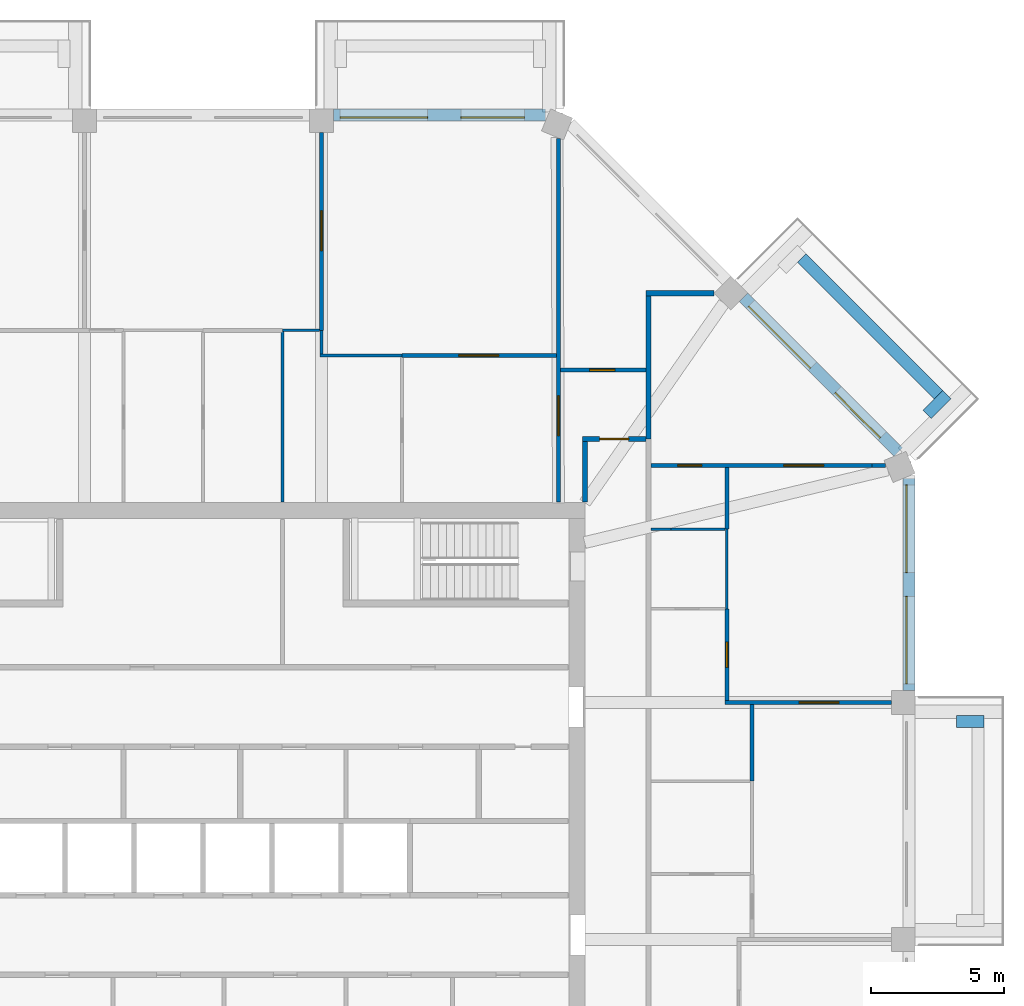
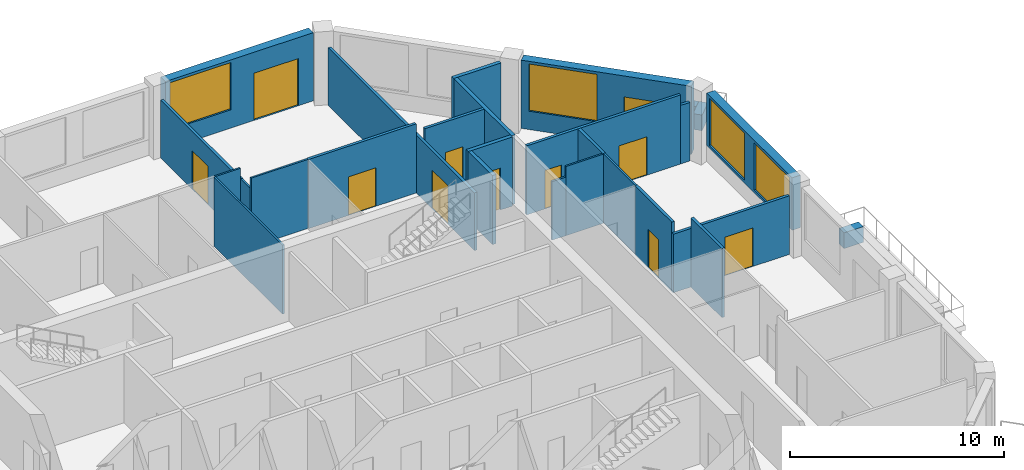
# One storey, part 9 of 12: 27 walls, 11 doors, 4 windows, 15 openings.
"""IFC4 building model written with IfcOpenShell, lengths in metres."""

from ifc_helpers import new_model, si_unit, direction, frame, frame_2d, origin, place, context, subcontext, project, spatial, rectangle, extrude, material, layer, layer_set, type_object, element, fill, save


model = new_model("IFC4")

# Units and contexts
model_context = context("Model", 3, precision=1e-05, world=origin(), true_north=direction((0.0, 1.0)))
body_context = subcontext(model_context, "Body", "Model", "MODEL_VIEW")
ifc_project = project(units=[si_unit("LENGTHUNIT", "METRE"), si_unit("AREAUNIT", "SQUARE_METRE"), si_unit("VOLUMEUNIT", "CUBIC_METRE"), si_unit("PLANEANGLEUNIT", "RADIAN"), si_unit("MASSUNIT", "GRAM", prefix="KILO")], contexts=[model_context])

# Site, building, storey
site_placement = place(None, origin())
site = spatial("IfcSite", under=ifc_project, at=site_placement, CompositionType="ELEMENT")
building_placement = place(site_placement, origin())
building = spatial("IfcBuilding", under=site, at=building_placement, Name="Msitu Wima Residences", CompositionType="ELEMENT")
storey_placement = place(building_placement, frame((0.0, 0.0, 218.10009765625)))
storey = spatial("IfcBuildingStorey", under=building, at=storey_placement, Name="L50", CompositionType="ELEMENT", Elevation=218.10009765625)

# Walls
ifc_material_1 = material(Name="Facing brick")
ifc_layer_1 = layer(ifc_material_1, 0.06494140625, Name="Facing brick")
ifc_material_2 = material(Name="Concrete C40/50", Category="concrete")
ifc_layer_2 = layer(ifc_material_2, 0.156005859375, Name="Concrete C40/50")
ifc_material_3 = material(Name="Waterproofing membrane")
ifc_layer_3 = layer(ifc_material_3, 0.00390625, Name="Waterproofing membrane")
ifc_material_4 = material(Name="Planting soil and planting")
ifc_layer_4 = layer(ifc_material_4, 0.22509765625, Name="Planting soil and planting")
ifc_layer_set_1 = layer_set([ifc_layer_1, ifc_layer_2, ifc_layer_3, ifc_layer_4], Name="Concrete C40/50")
wall_type_1 = type_object("IfcWallType", Name="Balcony planter PLANTER PL450", PredefinedType="USERDEFINED", material=ifc_layer_set_1)
wall_1_placement = place(storey_placement, frame((28.39990234375, 3.74365234375, 0.0), z_axis=(0.0, 0.0, 1.0), x_axis=(1.0, 0.0, 0.0)))
element("IfcWall", 1, at=wall_1_placement, inside=storey, type_object=wall_type_1, Name="Balcony planter E1 L50", ObjectType="PLANTER", PredefinedType="USERDEFINED", context=body_context, shape_type="SweptSolid", body=[
    extrude(rectangle(XDim=1.050048828125, YDim=0.449951171875, at=frame_2d((0.52490234375, 0.0))), origin(), (0.0, 0.0, 1.0), 0.89990234375),
])
wall_2_placement = place(storey_placement, frame((27.725830078125, 16.0751953125, 0.0), z_axis=(0.0, 0.0, 1.0), x_axis=(-0.707106781187, 0.707106781187, 0.0)))
element("IfcWall", 2, at=wall_2_placement, inside=storey, type_object=wall_type_1, Name="Balcony planter NE0 L50", ObjectType="PLANTER", PredefinedType="USERDEFINED", context=body_context, shape_type="SweptSolid", body=[
    extrude(rectangle(XDim=7.288330078125, YDim=0.449951171875, at=frame_2d((3.64404296875, 0.0))), origin(), (0.0, 0.0, 1.0), 0.89990234375),
])
wall_3_placement = place(storey_placement, frame((27.301513671875, 15.332763671875, 0.0), z_axis=(0.0, 0.0, 1.0), x_axis=(0.707106781187, 0.707106781187, 0.0)))
element("IfcWall", 3, at=wall_3_placement, inside=storey, type_object=wall_type_1, Name="Balcony planter NE0 L50", ObjectType="PLANTER", PredefinedType="USERDEFINED", context=body_context, shape_type="SweptSolid", body=[
    extrude(rectangle(XDim=1.050048828125, YDim=0.449951171875, at=frame_2d((0.52490234375, 0.0))), origin(), (0.0, 0.0, 1.0), 0.89990234375),
])

# Wall, openings, windows
ifc_material_5 = material(Name="Brick (red buff mix)", Category="masonry")
ifc_layer_5 = layer(ifc_material_5, 0.449951171875)
ifc_layer_set_2 = layer_set([ifc_layer_5], Name="Brick (red buff mix)")
wall_type_2 = type_object("IfcWallType", Name="Brick infill wall BW450", PredefinedType="SOLIDWALL", material=ifc_layer_set_2)
wall_4_placement = place(storey_placement, frame((26.625, 4.918701171875, 0.89990234375), z_axis=(0.0, 0.0, 1.0), x_axis=(0.0, 1.0, 0.0)))
wall_4 = element("IfcWall", 4, at=wall_4_placement, inside=storey, type_object=wall_type_2, Name="Brick infill wall L50 E2", PredefinedType="SOLIDWALL", context=body_context, shape_type="SweptSolid", body=[
    extrude(rectangle(XDim=8.0, YDim=0.449951171875, at=frame_2d((4.0, 0.0))), origin(), (0.0, 0.0, 1.0), 3.0),
])
opening_1_placement = place(wall_4_placement, frame((0.25, 0.0, 0.14990234375)))
opening_1 = element("IfcOpeningElement", 5, at=opening_1_placement, cuts=wall_4, Name="Opening W50-51.004", PredefinedType="OPENING", context=body_context, shape_type="SweptSolid", body=[
    extrude(rectangle(XDim=3.300048828125, YDim=2.699951171875, at=frame_2d((1.64990234375, 1.35009765625))), frame((0.0, 0.23486328125, 0.0), z_axis=(0.0, -1.0, 0.0), x_axis=(1.0, 0.0, 0.0)), (0.0, 0.0, 1.0), 0.469970703125),
])
opening_2_placement = place(wall_4_placement, frame((4.4501953125, 0.0, 0.14990234375)))
opening_2 = element("IfcOpeningElement", 6, at=opening_2_placement, cuts=wall_4, Name="Opening W50-51.005", PredefinedType="OPENING", context=body_context, shape_type="SweptSolid", body=[
    extrude(rectangle(XDim=3.300048828125, YDim=2.699951171875, at=frame_2d((1.64990234375, 1.35009765625))), frame((0.0, 0.23486328125, 0.0), z_axis=(0.0, -1.0, 0.0), x_axis=(1.0, 0.0, 0.0)), (0.0, 0.0, 1.0), 0.469970703125),
])
ifc_material_6 = material(Name="Anodised aluminium, bronze finish, clear low-emissivity double glazing", Category="aluminium")
window_type = type_object("IfcWindowType", Name="Window W3300x2700", PartitioningType="DOUBLE_PANEL_VERTICAL", PredefinedType="WINDOW", material=ifc_material_6)
window_1_placement = place(opening_1_placement, origin())
window_1 = element("IfcWindow", 7, at=window_1_placement, inside=storey, type_object=window_type, Name="Window L50 E2.1", OverallHeight=2.699951171875, OverallWidth=3.300048828125, PartitioningType="SINGLE_PANEL", PredefinedType="WINDOW", context=body_context, shape_type="SweptSolid", body=[
    extrude(rectangle(XDim=3.300048828125, YDim=2.699951171875, at=frame_2d((1.64990234375, 1.35009765625))), frame((0.0, 0.135009765625, 0.0), z_axis=(0.0, -1.0, 0.0), x_axis=(1.0, 0.0, 0.0)), (0.0, 0.0, 1.0), 0.06005859375),
])
fill(opening_1, window_1)
window_2_placement = place(opening_2_placement, origin())
window_2 = element("IfcWindow", 8, at=window_2_placement, inside=storey, type_object=window_type, Name="Window L50 E2.2", OverallHeight=2.699951171875, OverallWidth=3.300048828125, PartitioningType="SINGLE_PANEL", PredefinedType="WINDOW", context=body_context, shape_type="SweptSolid", body=[
    extrude(rectangle(XDim=3.300048828125, YDim=2.699951171875, at=frame_2d((1.64990234375, 1.35009765625))), frame((0.0, 0.135009765625, 0.0), z_axis=(0.0, -1.0, 0.0), x_axis=(1.0, 0.0, 0.0)), (0.0, 0.0, 1.0), 0.06005859375),
])
fill(opening_2, window_2)

# Wall, openings, door, window
wall_5_placement = place(storey_placement, frame((26.214599609375, 13.909423828125, 0.0), z_axis=(0.0, 0.0, 1.0), x_axis=(-0.707106781187, 0.707106781187, 0.0)))
wall_5 = element("IfcWall", 9, at=wall_5_placement, inside=storey, type_object=wall_type_2, Name="Brick infill wall L50 NE0", PredefinedType="SOLIDWALL", context=body_context, shape_type="SweptSolid", body=[
    extrude(rectangle(XDim=8.251220703125, YDim=0.449951171875, at=frame_2d((4.12548828125, 0.0))), origin(), (0.0, 0.0, 1.0), 3.89990234375),
])
opening_3_placement = place(wall_5_placement, frame((0.86279296875, 0.0, 0.0)))
opening_3 = element("IfcOpeningElement", 10, at=opening_3_placement, cuts=wall_5, Name="Opening D50-51.004", PredefinedType="OPENING", context=body_context, shape_type="SweptSolid", body=[
    extrude(rectangle(XDim=2.39990234375, YDim=2.699951171875, at=frame_2d((1.199951171875, 1.35009765625))), frame((0.0, 0.23486328125, 0.0), z_axis=(0.0, -1.0, 0.0), x_axis=(1.0, 0.0, 0.0)), (0.0, 0.0, 1.0), 0.469970703125),
])
opening_4_placement = place(wall_5_placement, frame((4.57568359375, 0.0, 1.050048828125)))
opening_4 = element("IfcOpeningElement", 11, at=opening_4_placement, cuts=wall_5, Name="Opening W50-51.010", PredefinedType="OPENING", context=body_context, shape_type="SweptSolid", body=[
    extrude(rectangle(XDim=3.300048828125, YDim=2.699951171875, at=frame_2d((1.64990234375, 1.35009765625))), frame((0.0, 0.23486328125, 0.0), z_axis=(0.0, -1.0, 0.0), x_axis=(1.0, 0.0, 0.0)), (0.0, 0.0, 1.0), 0.469970703125),
])
door_type_1 = type_object("IfcDoorType", Name="Balcony door D2400x2700", OperationType="SLIDING_TO_LEFT", PredefinedType="DOOR", material=ifc_material_6)
door_1_placement = place(opening_3_placement, origin())
door_1 = element("IfcDoor", 12, at=door_1_placement, inside=storey, type_object=door_type_1, Name="Balcony door L50 NE0", OperationType="SINGLE_SWING_LEFT", OverallHeight=2.699951171875, OverallWidth=2.39990234375, PredefinedType="DOOR", context=body_context, shape_type="SweptSolid", body=[
    extrude(rectangle(XDim=2.39990234375, YDim=2.699951171875, at=frame_2d((1.199951171875, 1.35009765625))), frame((0.0, 0.1298828125, 0.0), z_axis=(0.0, -1.0, 0.0), x_axis=(1.0, 0.0, 0.0)), (0.0, 0.0, 1.0), 0.050048828125),
])
fill(opening_3, door_1)
window_3_placement = place(opening_4_placement, origin())
window_3 = element("IfcWindow", 13, at=window_3_placement, inside=storey, type_object=window_type, Name="Window L50 NE0.2", OverallHeight=2.699951171875, OverallWidth=3.300048828125, PartitioningType="SINGLE_PANEL", PredefinedType="WINDOW", context=body_context, shape_type="SweptSolid", body=[
    extrude(rectangle(XDim=3.300048828125, YDim=2.699951171875, at=frame_2d((1.64990234375, 1.35009765625))), frame((0.0, 0.135009765625, 0.0), z_axis=(0.0, -1.0, 0.0), x_axis=(1.0, 0.0, 0.0)), (0.0, 0.0, 1.0), 0.06005859375),
])
fill(opening_4, window_3)

wall_6_placement = place(storey_placement, frame((12.918701171875, 26.625, 0.0), z_axis=(0.0, 0.0, 1.0), x_axis=(-1.0, 0.0, 0.0)))
wall_6 = element("IfcWall", 14, at=wall_6_placement, inside=storey, type_object=wall_type_2, Name="Brick infill wall L50 N0", PredefinedType="SOLIDWALL", context=body_context, shape_type="SweptSolid", body=[
    extrude(rectangle(XDim=8.0, YDim=0.449951171875, at=frame_2d((4.0, 0.0))), origin(), (0.0, 0.0, 1.0), 3.89990234375),
])
opening_5_placement = place(wall_6_placement, frame((0.800048828125, 0.0, 0.0)))
opening_5 = element("IfcOpeningElement", 15, at=opening_5_placement, cuts=wall_6, Name="Opening D50-51.002", PredefinedType="OPENING", context=body_context, shape_type="SweptSolid", body=[
    extrude(rectangle(XDim=2.39990234375, YDim=2.699951171875, at=frame_2d((1.199951171875, 1.35009765625))), frame((0.0, 0.23486328125, 0.0), z_axis=(0.0, -1.0, 0.0), x_axis=(1.0, 0.0, 0.0)), (0.0, 0.0, 1.0), 0.469970703125),
])
opening_6_placement = place(wall_6_placement, frame((4.4501953125, 0.0, 1.050048828125)))
opening_6 = element("IfcOpeningElement", 16, at=opening_6_placement, cuts=wall_6, Name="Opening W50-51.006", PredefinedType="OPENING", context=body_context, shape_type="SweptSolid", body=[
    extrude(rectangle(XDim=3.300048828125, YDim=2.699951171875, at=frame_2d((1.64990234375, 1.35009765625))), frame((0.0, 0.23486328125, 0.0), z_axis=(0.0, -1.0, 0.0), x_axis=(1.0, 0.0, 0.0)), (0.0, 0.0, 1.0), 0.469970703125),
])
door_2_placement = place(opening_5_placement, origin())
door_2 = element("IfcDoor", 17, at=door_2_placement, inside=storey, type_object=door_type_1, Name="Balcony door L50 N0", OperationType="SINGLE_SWING_LEFT", OverallHeight=2.699951171875, OverallWidth=2.39990234375, PredefinedType="DOOR", context=body_context, shape_type="SweptSolid", body=[
    extrude(rectangle(XDim=2.39990234375, YDim=2.699951171875, at=frame_2d((1.199951171875, 1.35009765625))), frame((0.0, 0.1298828125, 0.0), z_axis=(0.0, -1.0, 0.0), x_axis=(1.0, 0.0, 0.0)), (0.0, 0.0, 1.0), 0.050048828125),
])
fill(opening_5, door_2)
window_4_placement = place(opening_6_placement, origin())
window_4 = element("IfcWindow", 18, at=window_4_placement, inside=storey, type_object=window_type, Name="Window L50 N0.2", OverallHeight=2.699951171875, OverallWidth=3.300048828125, PartitioningType="SINGLE_PANEL", PredefinedType="WINDOW", context=body_context, shape_type="SweptSolid", body=[
    extrude(rectangle(XDim=3.300048828125, YDim=2.699951171875, at=frame_2d((1.64990234375, 1.35009765625))), frame((0.0, 0.135009765625, 0.0), z_axis=(0.0, -1.0, 0.0), x_axis=(1.0, 0.0, 0.0)), (0.0, 0.0, 1.0), 0.06005859375),
])
fill(opening_6, window_4)

# Wall
ifc_material_7 = material(Name="Plaster")
ifc_layer_6 = layer(ifc_material_7, 0.011962890625, Name="Plaster")
ifc_material_8 = material(Name="Concrete blockwork", Category="masonry")
ifc_layer_7 = layer(ifc_material_8, 0.176025390625, Name="Concrete blockwork")
ifc_layer_8 = layer(ifc_material_7, 0.011962890625, Name="Plaster")
ifc_layer_set_3 = layer_set([ifc_layer_6, ifc_layer_7, ifc_layer_8], Name="Concrete blockwork")
wall_type_3 = type_object("IfcWallType", Name="Corridor wall FW200", PredefinedType="PARTITIONING", material=ifc_layer_set_3)
wall_7_placement = place(storey_placement, frame((14.39990234375, 12.030029296875, 0.0), z_axis=(0.0, 0.0, 1.0), x_axis=(0.0, 1.0, 0.0)))
element("IfcWall", 19, at=wall_7_placement, inside=storey, type_object=wall_type_3, Name="Corridor wall", PredefinedType="PARTITIONING", context=body_context, shape_type="SweptSolid", body=[
    extrude(rectangle(XDim=2.27001953125, YDim=0.199951171875, at=frame_2d((1.135009765625, 0.0))), origin(), (0.0, 0.0, 1.0), 3.949951171875),
])

# Wall, opening, door
wall_8_placement = place(storey_placement, frame((14.300048828125, 14.39990234375, 0.0), z_axis=(0.0, 0.0, 1.0), x_axis=(1.0, 0.0, 0.0)))
wall_8 = element("IfcWall", 20, at=wall_8_placement, inside=storey, type_object=wall_type_3, Name="Corridor wall", PredefinedType="PARTITIONING", context=body_context, shape_type="SweptSolid", body=[
    extrude(rectangle(XDim=2.39990234375, YDim=0.199951171875, at=frame_2d((1.199951171875, 0.0))), origin(), (0.0, 0.0, 1.0), 3.949951171875),
])
opening_7_placement = place(wall_8_placement, frame((0.64990234375, 0.0, 0.0)))
opening_7 = element("IfcOpeningElement", 21, at=opening_7_placement, cuts=wall_8, Name="Opening D50-51.022", PredefinedType="OPENING", context=body_context, shape_type="SweptSolid", body=[
    extrude(rectangle(XDim=1.10009765625, YDim=2.39990234375, at=frame_2d((0.550048828125, 1.199951171875))), frame((0.0, 0.10986328125, 0.0), z_axis=(0.0, -1.0, 0.0), x_axis=(1.0, 0.0, 0.0)), (0.0, 0.0, 1.0), 0.219970703125),
])
ifc_material_9 = material(Name="Timber flush door, fire resisting, self-closing", Category="wood")
door_type_2 = type_object("IfcDoorType", Name="Flat entrance door D01 1100x2400", OperationType="SINGLE_SWING_LEFT", PredefinedType="DOOR", material=ifc_material_9)
door_3_placement = place(opening_7_placement, origin())
door_3 = element("IfcDoor", 22, at=door_3_placement, inside=storey, type_object=door_type_2, Name="Flat entrance door", OperationType="SINGLE_SWING_RIGHT", OverallHeight=2.39990234375, OverallWidth=1.10009765625, PredefinedType="DOOR", context=body_context, shape_type="SweptSolid", body=[
    extrude(rectangle(XDim=1.10009765625, YDim=2.39990234375, at=frame_2d((0.550048828125, 1.199951171875))), frame((0.0, 0.02490234375, 0.0), z_axis=(0.0, -1.0, 0.0), x_axis=(1.0, 0.0, 0.0)), (0.0, 0.0, 1.0), 0.050048828125),
])
fill(opening_7, door_3)

ifc_layer_9 = layer(ifc_material_7, 0.011962890625, Name="Plaster")
ifc_layer_10 = layer(ifc_material_8, 0.1259765625, Name="Concrete blockwork")
ifc_layer_11 = layer(ifc_material_7, 0.011962890625, Name="Plaster")
ifc_layer_set_4 = layer_set([ifc_layer_9, ifc_layer_10, ifc_layer_11], Name="Concrete blockwork")
wall_type_4 = type_object("IfcWallType", Name="Partition PW150", PredefinedType="PARTITIONING", material=ifc_layer_set_4)
wall_9_placement = place(storey_placement, frame((4.46875, 18.5, 0.0), z_axis=(0.0, 0.0, 1.0), x_axis=(0.0, 1.0, 0.0)))
wall_9 = element("IfcWall", 23, at=wall_9_placement, inside=storey, type_object=wall_type_4, Name="Partition", PredefinedType="PARTITIONING", context=body_context, shape_type="SweptSolid", body=[
    extrude(rectangle(XDim=7.449951171875, YDim=0.14990234375, at=frame_2d((3.72509765625, 0.0))), origin(), (0.0, 0.0, 1.0), 3.2998046875),
])
opening_8_placement = place(wall_9_placement, frame((3.0, 0.0, 0.0)))
opening_8 = element("IfcOpeningElement", 24, at=opening_8_placement, cuts=wall_9, Name="Opening D50-51.030", PredefinedType="OPENING", context=body_context, shape_type="SweptSolid", body=[
    extrude(rectangle(XDim=1.5, YDim=2.199951171875, at=frame_2d((0.75, 1.10009765625))), frame((0.0, 0.0849609375, 0.0), z_axis=(0.0, -1.0, 0.0), x_axis=(1.0, 0.0, 0.0)), (0.0, 0.0, 1.0), 0.169921875),
])
ifc_material_10 = material(Name="Timber double door", Category="wood")
door_type_3 = type_object("IfcDoorType", Name="Double door D04 1500x2200", OperationType="DOUBLE_DOOR_SINGLE_SWING", PredefinedType="DOOR", material=ifc_material_10)
door_4_placement = place(opening_8_placement, origin())
door_4 = element("IfcDoor", 25, at=door_4_placement, inside=storey, type_object=door_type_3, Name="Double door", OperationType="DOUBLE_DOOR_SINGLE_SWING", OverallHeight=2.199951171875, OverallWidth=1.5, PredefinedType="DOOR", context=body_context, shape_type="SweptSolid", body=[
    extrude(rectangle(XDim=1.5, YDim=2.199951171875, at=frame_2d((0.75, 1.10009765625))), frame((0.0, 0.02490234375, 0.0), z_axis=(0.0, -1.0, 0.0), x_axis=(1.0, 0.0, 0.0)), (0.0, 0.0, 1.0), 0.050048828125),
])
fill(opening_8, door_4)

wall_10_placement = place(storey_placement, frame((7.5, 17.550048828125, 0.0), z_axis=(0.0, 0.0, 1.0), x_axis=(1.0, 0.0, 0.0)))
wall_10 = element("IfcWall", 26, at=wall_10_placement, inside=storey, type_object=wall_type_4, Name="Partition", PredefinedType="PARTITIONING", context=body_context, shape_type="SweptSolid", body=[
    extrude(rectangle(XDim=5.830810546875, YDim=0.14990234375, at=frame_2d((2.91552734375, 0.0))), origin(), (0.0, 0.0, 1.0), 3.949951171875),
])
opening_9_placement = place(wall_10_placement, frame((2.14990234375, 0.0, 0.0)))
opening_9 = element("IfcOpeningElement", 27, at=opening_9_placement, cuts=wall_10, Name="Opening D50-51.027", PredefinedType="OPENING", context=body_context, shape_type="SweptSolid", body=[
    extrude(rectangle(XDim=1.5, YDim=2.199951171875, at=frame_2d((0.75, 1.10009765625))), frame((0.0, 0.0849609375, 0.0), z_axis=(0.0, -1.0, 0.0), x_axis=(1.0, 0.0, 0.0)), (0.0, 0.0, 1.0), 0.169921875),
])
door_5_placement = place(opening_9_placement, origin())
door_5 = element("IfcDoor", 28, at=door_5_placement, inside=storey, type_object=door_type_3, Name="Double door", OperationType="DOUBLE_DOOR_SINGLE_SWING", OverallHeight=2.199951171875, OverallWidth=1.5, PredefinedType="DOOR", context=body_context, shape_type="SweptSolid", body=[
    extrude(rectangle(XDim=1.5, YDim=2.199951171875, at=frame_2d((0.75, 1.10009765625))), frame((0.0, 0.02490234375, 0.0), z_axis=(0.0, -1.0, 0.0), x_axis=(1.0, 0.0, 0.0)), (0.0, 0.0, 1.0), 0.050048828125),
])
fill(opening_9, door_5)

wall_11_placement = place(storey_placement, frame((13.406005859375, 12.030029296875, 0.0), z_axis=(0.0, 0.0, 1.0), x_axis=(0.0, 1.0, 0.0)))
wall_11 = element("IfcWall", 29, at=wall_11_placement, inside=storey, type_object=wall_type_4, Name="Partition", PredefinedType="PARTITIONING", context=body_context, shape_type="SweptSolid", body=[
    extrude(rectangle(XDim=13.701171875, YDim=0.14990234375, at=frame_2d((6.8505859375, 0.0))), origin(), (0.0, 0.0, 1.0), 3.2998046875),
])
opening_10_placement = place(wall_11_placement, frame((2.5, 0.0, 0.0)))
opening_10 = element("IfcOpeningElement", 30, at=opening_10_placement, cuts=wall_11, Name="Opening D50-51.023", PredefinedType="OPENING", context=body_context, shape_type="SweptSolid", body=[
    extrude(rectangle(XDim=1.5, YDim=2.199951171875, at=frame_2d((0.75, 1.10009765625))), frame((0.0, 0.0849609375, 0.0), z_axis=(0.0, -1.0, 0.0), x_axis=(1.0, 0.0, 0.0)), (0.0, 0.0, 1.0), 0.169921875),
])
door_6_placement = place(opening_10_placement, origin())
door_6 = element("IfcDoor", 31, at=door_6_placement, inside=storey, type_object=door_type_3, Name="Double door", OperationType="DOUBLE_DOOR_SINGLE_SWING", OverallHeight=2.199951171875, OverallWidth=1.5, PredefinedType="DOOR", context=body_context, shape_type="SweptSolid", body=[
    extrude(rectangle(XDim=1.5, YDim=2.199951171875, at=frame_2d((0.75, 1.10009765625))), frame((0.0, 0.02490234375, 0.0), z_axis=(0.0, -1.0, 0.0), x_axis=(1.0, 0.0, 0.0)), (0.0, 0.0, 1.0), 0.050048828125),
])
fill(opening_10, door_6)

wall_12_placement = place(storey_placement, frame((13.48095703125, 17.0, 0.0), z_axis=(0.0, 0.0, 1.0), x_axis=(1.0, 0.0, 0.0)))
wall_12 = element("IfcWall", 32, at=wall_12_placement, inside=storey, type_object=wall_type_4, Name="Partition", PredefinedType="PARTITIONING", context=body_context, shape_type="SweptSolid", body=[
    extrude(rectangle(XDim=3.218994140625, YDim=0.14990234375, at=frame_2d((1.609375, 0.0))), origin(), (0.0, 0.0, 1.0), 3.949951171875),
])
opening_11_placement = place(wall_12_placement, frame((1.10009765625, 0.0, 0.0)))
opening_11 = element("IfcOpeningElement", 33, at=opening_11_placement, cuts=wall_12, Name="Opening D50-51.028", PredefinedType="OPENING", context=body_context, shape_type="SweptSolid", body=[
    extrude(rectangle(XDim=0.949951171875, YDim=2.199951171875, at=frame_2d((0.47509765625, 1.10009765625))), frame((0.0, 0.0849609375, 0.0), z_axis=(0.0, -1.0, 0.0), x_axis=(1.0, 0.0, 0.0)), (0.0, 0.0, 1.0), 0.169921875),
])
ifc_material_11 = material(Name="Timber flush door", Category="wood")
door_type_4 = type_object("IfcDoorType", Name="Room door D12 950x2200", OperationType="SINGLE_SWING_LEFT", PredefinedType="DOOR", material=ifc_material_11)
door_7_placement = place(opening_11_placement, origin())
door_7 = element("IfcDoor", 34, at=door_7_placement, inside=storey, type_object=door_type_4, Name="Room door", OperationType="SINGLE_SWING_LEFT", OverallHeight=2.199951171875, OverallWidth=0.949951171875, PredefinedType="DOOR", context=body_context, shape_type="SweptSolid", body=[
    extrude(rectangle(XDim=0.949951171875, YDim=2.199951171875, at=frame_2d((0.47509765625, 1.10009765625))), frame((0.0, 0.02490234375, 0.0), z_axis=(0.0, -1.0, 0.0), x_axis=(1.0, 0.0, 0.0)), (0.0, 0.0, 1.0), 0.050048828125),
])
fill(opening_11, door_7)

# Wall, openings, doors
wall_13_placement = place(storey_placement, frame((16.89990234375, 13.406005859375, 0.0), z_axis=(0.0, 0.0, 1.0), x_axis=(1.0, 0.0, 0.0)))
wall_13 = element("IfcWall", 35, at=wall_13_placement, inside=storey, type_object=wall_type_4, Name="Partition", PredefinedType="PARTITIONING", context=body_context, shape_type="SweptSolid", body=[
    extrude(rectangle(XDim=8.32421875, YDim=0.14990234375, at=frame_2d((4.162109375, 0.0))), origin(), (0.0, 0.0, 1.0), 3.949951171875),
])
opening_12_placement = place(wall_13_placement, frame((5.0, 0.0, 0.0)))
opening_12 = element("IfcOpeningElement", 36, at=opening_12_placement, cuts=wall_13, Name="Opening D50-51.019", PredefinedType="OPENING", context=body_context, shape_type="SweptSolid", body=[
    extrude(rectangle(XDim=1.5, YDim=2.199951171875, at=frame_2d((0.75, 1.10009765625))), frame((0.0, 0.0849609375, 0.0), z_axis=(0.0, -1.0, 0.0), x_axis=(1.0, 0.0, 0.0)), (0.0, 0.0, 1.0), 0.169921875),
])
opening_13_placement = place(wall_13_placement, frame((1.0, 0.0, 0.0)))
opening_13 = element("IfcOpeningElement", 37, at=opening_13_placement, cuts=wall_13, Name="Opening D50-51.013", PredefinedType="OPENING", context=body_context, shape_type="SweptSolid", body=[
    extrude(rectangle(XDim=0.89990234375, YDim=2.199951171875, at=frame_2d((0.449951171875, 1.10009765625))), frame((0.0, 0.0849609375, 0.0), z_axis=(0.0, -1.0, 0.0), x_axis=(1.0, 0.0, 0.0)), (0.0, 0.0, 1.0), 0.169921875),
])
door_8_placement = place(opening_12_placement, origin())
door_8 = element("IfcDoor", 38, at=door_8_placement, inside=storey, type_object=door_type_3, Name="Double door", OperationType="DOUBLE_DOOR_SINGLE_SWING", OverallHeight=2.199951171875, OverallWidth=1.5, PredefinedType="DOOR", context=body_context, shape_type="SweptSolid", body=[
    extrude(rectangle(XDim=1.5, YDim=2.199951171875, at=frame_2d((0.75, 1.10009765625))), frame((0.0, 0.02490234375, 0.0), z_axis=(0.0, -1.0, 0.0), x_axis=(1.0, 0.0, 0.0)), (0.0, 0.0, 1.0), 0.050048828125),
])
fill(opening_12, door_8)
door_type_5 = type_object("IfcDoorType", Name="Service door D05 900x2200", OperationType="SINGLE_SWING_LEFT", PredefinedType="DOOR", material=ifc_material_11)
door_9_placement = place(opening_13_placement, origin())
door_9 = element("IfcDoor", 39, at=door_9_placement, inside=storey, type_object=door_type_5, Name="Service door", OperationType="SINGLE_SWING_LEFT", OverallHeight=2.199951171875, OverallWidth=0.89990234375, PredefinedType="DOOR", context=body_context, shape_type="SweptSolid", body=[
    extrude(rectangle(XDim=0.89990234375, YDim=2.199951171875, at=frame_2d((0.449951171875, 1.10009765625))), frame((0.0, 0.02490234375, 0.0), z_axis=(0.0, -1.0, 0.0), x_axis=(1.0, 0.0, 0.0)), (0.0, 0.0, 1.0), 0.050048828125),
])
fill(opening_13, door_9)

# Wall
wall_14_placement = place(storey_placement, frame((25.22412109375, 13.406005859375, 0.0), z_axis=(0.0, 0.0, 1.0), x_axis=(1.0, 0.0, 0.0)))
element("IfcWall", 40, at=wall_14_placement, inside=storey, type_object=wall_type_4, Name="Partition", PredefinedType="PARTITIONING", context=body_context, shape_type="SweptSolid", body=[
    extrude(rectangle(XDim=0.507080078125, YDim=0.14990234375, at=frame_2d((0.25341796875, 0.0))), origin(), (0.0, 0.0, 1.0), 3.349853515625),
])

# Wall, opening, door
wall_15_placement = place(storey_placement, frame((19.75, 4.543701171875, 0.0), z_axis=(0.0, 0.0, 1.0), x_axis=(0.0, 1.0, 0.0)))
wall_15 = element("IfcWall", 41, at=wall_15_placement, inside=storey, type_object=wall_type_4, Name="Partition", PredefinedType="PARTITIONING", context=body_context, shape_type="SweptSolid", body=[
    extrude(rectangle(XDim=3.456298828125, YDim=0.14990234375, at=frame_2d((1.72802734375, 0.0))), origin(), (0.0, 0.0, 1.0), 3.949951171875),
])
opening_14_placement = place(wall_15_placement, frame((1.25, 0.0, 0.0)))
opening_14 = element("IfcOpeningElement", 42, at=opening_14_placement, cuts=wall_15, Name="Opening D50-51.020", PredefinedType="OPENING", context=body_context, shape_type="SweptSolid", body=[
    extrude(rectangle(XDim=0.949951171875, YDim=2.199951171875, at=frame_2d((0.47509765625, 1.10009765625))), frame((0.0, 0.0849609375, 0.0), z_axis=(0.0, -1.0, 0.0), x_axis=(1.0, 0.0, 0.0)), (0.0, 0.0, 1.0), 0.169921875),
])
door_10_placement = place(opening_14_placement, origin())
door_10 = element("IfcDoor", 43, at=door_10_placement, inside=storey, type_object=door_type_4, Name="Room door", OperationType="SINGLE_SWING_RIGHT", OverallHeight=2.199951171875, OverallWidth=0.949951171875, PredefinedType="DOOR", context=body_context, shape_type="SweptSolid", body=[
    extrude(rectangle(XDim=0.949951171875, YDim=2.199951171875, at=frame_2d((0.47509765625, 1.10009765625))), frame((0.0, 0.02490234375, 0.0), z_axis=(0.0, -1.0, 0.0), x_axis=(1.0, 0.0, 0.0)), (0.0, 0.0, 1.0), 0.050048828125),
])
fill(opening_14, door_10)

wall_16_placement = place(storey_placement, frame((19.675048828125, 4.46875, 0.0), z_axis=(0.0, 0.0, 1.0), x_axis=(1.0, 0.0, 0.0)))
wall_16 = element("IfcWall", 44, at=wall_16_placement, inside=storey, type_object=wall_type_4, Name="Partition", PredefinedType="PARTITIONING", context=body_context, shape_type="SweptSolid", body=[
    extrude(rectangle(XDim=6.27490234375, YDim=0.14990234375, at=frame_2d((3.137451171875, 0.0))), origin(), (0.0, 0.0, 1.0), 3.349853515625),
])
opening_15_placement = place(wall_16_placement, frame((2.800048828125, 0.0, 0.0)))
opening_15 = element("IfcOpeningElement", 45, at=opening_15_placement, cuts=wall_16, Name="Opening D50-51.018", PredefinedType="OPENING", context=body_context, shape_type="SweptSolid", body=[
    extrude(rectangle(XDim=1.5, YDim=2.199951171875, at=frame_2d((0.75, 1.10009765625))), frame((0.0, 0.0849609375, 0.0), z_axis=(0.0, -1.0, 0.0), x_axis=(1.0, 0.0, 0.0)), (0.0, 0.0, 1.0), 0.169921875),
])
door_11_placement = place(opening_15_placement, origin())
door_11 = element("IfcDoor", 46, at=door_11_placement, inside=storey, type_object=door_type_3, Name="Double door", OperationType="DOUBLE_DOOR_SINGLE_SWING", OverallHeight=2.199951171875, OverallWidth=1.5, PredefinedType="DOOR", context=body_context, shape_type="SweptSolid", body=[
    extrude(rectangle(XDim=1.5, YDim=2.199951171875, at=frame_2d((0.75, 1.10009765625))), frame((0.0, 0.02490234375, 0.0), z_axis=(0.0, -1.0, 0.0), x_axis=(1.0, 0.0, 0.0)), (0.0, 0.0, 1.0), 0.050048828125),
])
fill(opening_15, door_11)

# Walls
wall_17_placement = place(storey_placement, frame((19.75, 11.0, 0.0), z_axis=(0.0, 0.0, 1.0), x_axis=(0.0, 1.0, 0.0)))
element("IfcWall", 47, at=wall_17_placement, inside=storey, type_object=wall_type_4, Name="Partition", PredefinedType="PARTITIONING", context=body_context, shape_type="SweptSolid", body=[
    extrude(rectangle(XDim=2.330810546875, YDim=0.14990234375, at=frame_2d((1.16552734375, 0.0))), origin(), (0.0, 0.0, 1.0), 3.949951171875),
])
wall_18_placement = place(storey_placement, frame((20.699951171875, 1.5, 0.0), z_axis=(0.0, 0.0, 1.0), x_axis=(0.0, 1.0, 0.0)))
element("IfcWall", 48, at=wall_18_placement, inside=storey, type_object=wall_type_4, Name="Partition", PredefinedType="PARTITIONING", context=body_context, shape_type="SweptSolid", body=[
    extrude(rectangle(XDim=2.8935546875, YDim=0.14990234375, at=frame_2d((1.44677734375, 0.0))), origin(), (0.0, 0.0, 1.0), 3.949951171875),
])
ifc_layer_12 = layer(ifc_material_7, 0.011962890625, Name="Plaster")
ifc_material_12 = material(Name="Dense concrete blockwork", Category="masonry")
ifc_layer_13 = layer(ifc_material_12, 0.176025390625, Name="Dense concrete blockwork")
ifc_layer_14 = layer(ifc_material_7, 0.011962890625, Name="Plaster")
ifc_layer_set_5 = layer_set([ifc_layer_12, ifc_layer_13, ifc_layer_14], Name="Dense concrete blockwork")
wall_type_5 = type_object("IfcWallType", Name="Party wall PW200", PredefinedType="PARTITIONING", material=ifc_layer_set_5)
wall_19_placement = place(storey_placement, frame((16.800048828125, 14.39990234375, 0.0), z_axis=(0.0, 0.0, 1.0), x_axis=(0.0, 1.0, 0.0)))
element("IfcWall", 49, at=wall_19_placement, inside=storey, type_object=wall_type_5, Name="Party wall", PredefinedType="PARTITIONING", context=body_context, shape_type="SweptSolid", body=[
    extrude(rectangle(XDim=5.403076171875, YDim=0.199951171875, at=frame_2d((2.70166015625, 0.0))), origin(), (0.0, 0.0, 1.0), 3.949951171875),
])
wall_20_placement = place(storey_placement, frame((16.699951171875, 19.90283203125, 0.0), z_axis=(0.0, 0.0, 1.0), x_axis=(1.0, 0.0, 0.0)))
element("IfcWall", 50, at=wall_20_placement, inside=storey, type_object=wall_type_5, Name="Party wall", PredefinedType="PARTITIONING", context=body_context, shape_type="SweptSolid", body=[
    extrude(rectangle(XDim=2.566650390625, YDim=0.199951171875, at=frame_2d((1.283203125, 0.0))), origin(), (0.0, 0.0, 1.0), 3.949951171875),
])
ifc_material_13 = material(Name="Ceramic tiles")
ifc_layer_15 = layer(ifc_material_13, 0.008056640625, Name="Ceramic tiles")
ifc_material_14 = material(Name="Moisture-resistant board")
ifc_layer_16 = layer(ifc_material_14, 0.012451171875, Name="Moisture-resistant board")
ifc_material_15 = material(Name="Light-gauge stud framing with mineral wool")
ifc_layer_17 = layer(ifc_material_15, 0.06689453125, Name="Light-gauge stud framing with mineral wool")
ifc_layer_18 = layer(ifc_material_14, 0.012451171875, Name="Moisture-resistant board")
ifc_layer_set_6 = layer_set([ifc_layer_15, ifc_layer_16, ifc_layer_17, ifc_layer_18], Name="Light-gauge stud framing with mineral wool")
wall_type_6 = type_object("IfcWallType", Name="Wet wall PW100", PredefinedType="PARTITIONING", material=ifc_layer_set_6)
wall_21_placement = place(storey_placement, frame((3.0, 18.5, 0.0), z_axis=(0.0, 0.0, 1.0), x_axis=(1.0, 0.0, 0.0)))
element("IfcWall", 51, at=wall_21_placement, inside=storey, type_object=wall_type_6, Name="Wet wall", PredefinedType="PARTITIONING", context=body_context, shape_type="SweptSolid", body=[
    extrude(rectangle(XDim=1.3935546875, YDim=0.10009765625, at=frame_2d((0.69677734375, 0.0))), origin(), (0.0, 0.0, 1.0), 3.949951171875),
])
wall_22_placement = place(storey_placement, frame((3.0, 12.030029296875, 0.0), z_axis=(0.0, 0.0, 1.0), x_axis=(0.0, 1.0, 0.0)))
element("IfcWall", 52, at=wall_22_placement, inside=storey, type_object=wall_type_6, Name="Wet wall", PredefinedType="PARTITIONING", context=body_context, shape_type="SweptSolid", body=[
    extrude(rectangle(XDim=6.419921875, YDim=0.10009765625, at=frame_2d((3.2099609375, 0.0))), origin(), (0.0, 0.0, 1.0), 3.949951171875),
])
wall_23_placement = place(storey_placement, frame((4.46875, 17.60009765625, 0.0), z_axis=(0.0, 0.0, 1.0), x_axis=(0.0, 1.0, 0.0)))
element("IfcWall", 53, at=wall_23_placement, inside=storey, type_object=wall_type_6, Name="Wet wall", PredefinedType="PARTITIONING", context=body_context, shape_type="SweptSolid", body=[
    extrude(rectangle(XDim=0.89990234375, YDim=0.10009765625, at=frame_2d((0.449951171875, 0.0))), origin(), (0.0, 0.0, 1.0), 3.2998046875),
])
wall_24_placement = place(storey_placement, frame((4.418701171875, 17.550048828125, 0.0), z_axis=(0.0, 0.0, 1.0), x_axis=(1.0, 0.0, 0.0)))
element("IfcWall", 54, at=wall_24_placement, inside=storey, type_object=wall_type_6, Name="Wet wall", PredefinedType="PARTITIONING", context=body_context, shape_type="SweptSolid", body=[
    extrude(rectangle(XDim=3.081298828125, YDim=0.10009765625, at=frame_2d((1.54052734375, 0.0))), origin(), (0.0, 0.0, 1.0), 3.949951171875),
])
wall_25_placement = place(storey_placement, frame((16.89990234375, 11.0, 0.0), z_axis=(0.0, 0.0, 1.0), x_axis=(1.0, 0.0, 0.0)))
element("IfcWall", 55, at=wall_25_placement, inside=storey, type_object=wall_type_6, Name="Wet wall", PredefinedType="PARTITIONING", context=body_context, shape_type="SweptSolid", body=[
    extrude(rectangle(XDim=0.75390625, YDim=0.10009765625, at=frame_2d((0.376953125, 0.0))), origin(), (0.0, 0.0, 1.0), 3.349853515625),
])
wall_26_placement = place(storey_placement, frame((17.65380859375, 11.0, 0.0), z_axis=(0.0, 0.0, 1.0), x_axis=(1.0, 0.0, 0.0)))
element("IfcWall", 56, at=wall_26_placement, inside=storey, type_object=wall_type_6, Name="Wet wall", PredefinedType="PARTITIONING", context=body_context, shape_type="SweptSolid", body=[
    extrude(rectangle(XDim=2.021240234375, YDim=0.10009765625, at=frame_2d((1.0107421875, 0.0))), origin(), (0.0, 0.0, 1.0), 3.949951171875),
])
wall_27_placement = place(storey_placement, frame((19.75, 8.0, 0.0), z_axis=(0.0, 0.0, 1.0), x_axis=(0.0, 1.0, 0.0)))
element("IfcWall", 57, at=wall_27_placement, inside=storey, type_object=wall_type_6, Name="Wet wall", PredefinedType="PARTITIONING", context=body_context, shape_type="SweptSolid", body=[
    extrude(rectangle(XDim=3.0, YDim=0.10009765625, at=frame_2d((1.5, 0.0))), origin(), (0.0, 0.0, 1.0), 3.949951171875),
])

save(model, "model.ifc")
